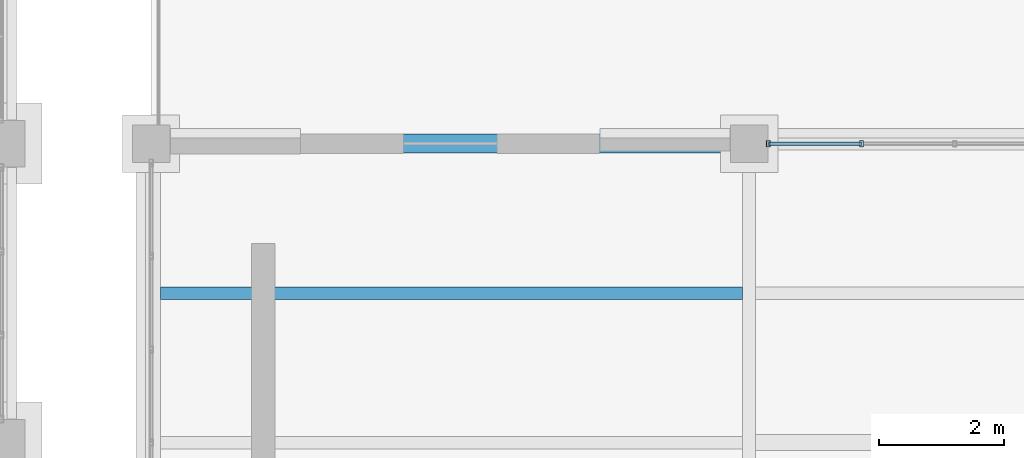
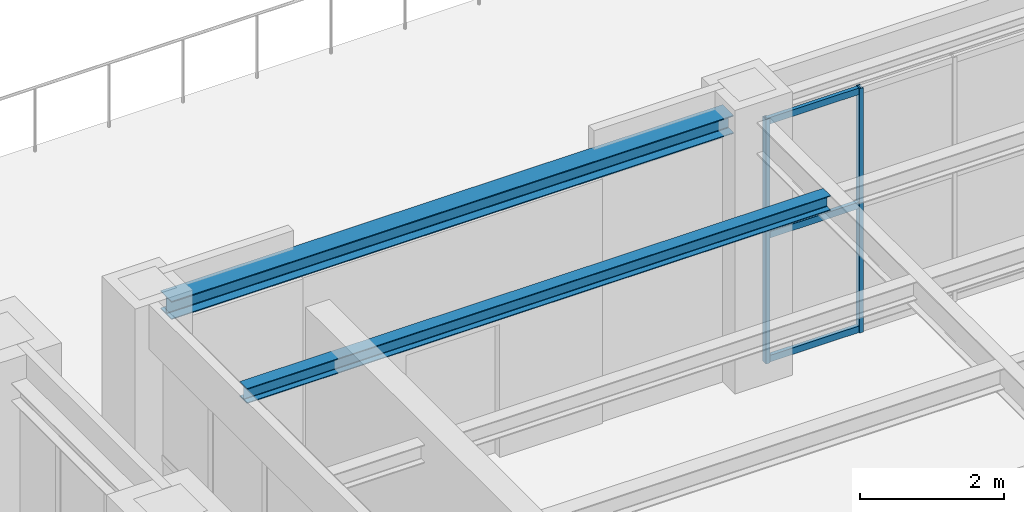
# One storey, part 12 of 83: 5 members, 2 beams, 1 element without a shape of its own.
"""IFC4 building model written with IfcOpenShell, lengths in metres."""

import ifcopenshell
import ifcopenshell.guid

model = None  # the IFC model being written
_history = None  # IfcOwnerHistory: only IFC2X3 demands one
_inside = {}  # id of a spatial element -> (the spatial element, [elements in it])
_under = {}  # id of a project, library or spatial element -> (it, [spatial elements below it])
_declared = {}  # id of a project -> (the project, [libraries it declares])
_typed = {}  # id of a type object -> (the type object, [elements of that type])
_made_of = {}  # id of a material, layer set ... -> (it, [elements and type objects made of it])


def new_model(schema):
    """Start an empty IFC model of exactly this schema.

    Asked for "IFC4X3", IfcOpenShell would pick the latest addendum, in which some entities
    have other attributes; the version numbers below select the first issue.
    IFC2X3 requires an IfcOwnerHistory on every rooted entity: one is made here for all.
    """
    global model, _history
    if schema == "IFC4X3":
        model = ifcopenshell.file(schema_version=(4, 3, 0, 0))
    else:
        model = ifcopenshell.file(schema=schema)
    _inside.clear()
    _under.clear()
    _declared.clear()
    _typed.clear()
    _made_of.clear()
    _history = None
    if model.schema == "IFC2X3":
        org = make("IfcOrganization", Name="unknown")
        user = make(
            "IfcPersonAndOrganization",
            ThePerson=make("IfcPerson", FamilyName="unknown"),
            TheOrganization=org,
        )
        app = make(
            "IfcApplication",
            ApplicationDeveloper=org,
            Version="unknown",
            ApplicationFullName="unknown",
            ApplicationIdentifier="unknown",
        )
        _history = make(
            "IfcOwnerHistory",
            OwningUser=user,
            OwningApplication=app,
            ChangeAction="ADDED",
            CreationDate=0,
        )
    return model


def make(cls, **values):
    """One entity of the class cls with the attributes given. An attribute that is None is left unset."""
    return model.create_entity(
        cls, **{name: value for name, value in values.items() if value is not None}
    )


def rooted(cls, **values):
    """An entity with a GlobalId (a new one), such as an element, a storey or a relation."""
    return make(cls, GlobalId=ifcopenshell.guid.new(), OwnerHistory=_history, **values)


def si_unit(unit_type, name, prefix=None):
    """IfcSIUnit, for example si_unit("LENGTHUNIT", "METRE", prefix="MILLI")."""
    return make("IfcSIUnit", UnitType=unit_type, Prefix=prefix, Name=name)


def assignment(units):
    """IfcUnitAssignment: the units of a project."""
    return None if units is None else make("IfcUnitAssignment", Units=units)


def point(xyz):
    """IfcCartesianPoint."""
    return None if xyz is None else make("IfcCartesianPoint", Coordinates=xyz)


def direction(xyz):
    """IfcDirection."""
    return None if xyz is None else make("IfcDirection", DirectionRatios=xyz)


def frame(location, z_axis=None, x_axis=None):
    """IfcAxis2Placement3D, a coordinate frame: its origin and axes. An axis left out is left unset."""
    return make(
        "IfcAxis2Placement3D",
        Location=point(location),
        Axis=direction(z_axis),
        RefDirection=direction(x_axis),
    )


def frame_2d(location, x_axis=None):
    """IfcAxis2Placement2D, a coordinate frame in the plane: its origin and x axis."""
    return make(
        "IfcAxis2Placement2D", Location=point(location), RefDirection=direction(x_axis)
    )


def origin():
    """The frame at (0, 0, 0) with its axes left unset."""
    return frame((0.0, 0.0, 0.0))


def origin_2d():
    """The frame at (0, 0) in the plane with its x axis left unset."""
    return frame_2d((0.0, 0.0))


def place(relative_to, where):
    """IfcLocalPlacement: puts the frame where relative to a parent placement (None: the world)."""
    return make(
        "IfcLocalPlacement", PlacementRelTo=relative_to, RelativePlacement=where
    )


def context(
    kind, dimensions, precision=None, world=None, true_north=None, identifier=None
):
    """IfcGeometricRepresentationContext, for example the 3D "Model" context."""
    return make(
        "IfcGeometricRepresentationContext",
        ContextIdentifier=identifier,
        ContextType=kind,
        CoordinateSpaceDimension=dimensions,
        Precision=precision,
        WorldCoordinateSystem=world,
        TrueNorth=true_north,
    )


def subcontext(parent, identifier, kind, view, scale=None):
    """IfcGeometricRepresentationSubContext, for example "Body" below "Model"."""
    return make(
        "IfcGeometricRepresentationSubContext",
        ContextIdentifier=identifier,
        ContextType=kind,
        ParentContext=parent,
        TargetScale=scale,
        TargetView=view,
    )


def project(units=None, contexts=None):
    """IfcProject with its units and contexts."""
    return rooted(
        "IfcProject",
        Name="project",
        RepresentationContexts=contexts,
        UnitsInContext=assignment(units),
    )


def spatial(cls, under=None, at=None, **own):
    """A site, building, storey or space (cls), placed at a placement, below another one or the project."""
    s = rooted(cls, ObjectPlacement=at, **own)
    if under is not None:
        _under.setdefault(under.id(), (under, []))[1].append(s)
    return s


def profile(cls, at=None, kind="AREA", **sizes):
    """A parametric profile (cls). Its sizes go by their IFC names, for example OverallWidth=200.0."""
    return make(cls, ProfileType=kind, Position=at, **sizes)


def hollow_rectangle(**sizes):
    """IfcRectangleHollowProfileDef."""
    return profile("IfcRectangleHollowProfileDef", **sizes)


def i_section(**sizes):
    """IfcIShapeProfileDef."""
    return profile("IfcIShapeProfileDef", **sizes)


def extrude(swept, where, along, depth):
    """IfcExtrudedAreaSolid: the profile swept, set in the frame where, extruded along a direction by depth."""
    return make(
        "IfcExtrudedAreaSolid",
        SweptArea=swept,
        Position=where,
        ExtrudedDirection=direction(along),
        Depth=depth,
    )


def shape(context_of_items, identifier, shape_type, items):
    """IfcShapeRepresentation: the items that make up one representation, for example the "Body"."""
    return make(
        "IfcShapeRepresentation",
        ContextOfItems=context_of_items,
        RepresentationIdentifier=identifier,
        RepresentationType=shape_type,
        Items=items,
    )


def material(Name=None, Category=None):
    """IfcMaterial."""
    return make("IfcMaterial", Name=Name, Category=Category)


def material_profile(
    of_material, cross_section, Name=None, Category=None, Priority=None
):
    """IfcMaterialProfile: a cross section and its material."""
    return make(
        "IfcMaterialProfile",
        Name=Name,
        Material=of_material,
        Profile=cross_section,
        Priority=Priority,
        Category=Category,
    )


def profile_set(profiles, Name=None, composite=None):
    """IfcMaterialProfileSet."""
    return make(
        "IfcMaterialProfileSet",
        Name=Name,
        MaterialProfiles=profiles,
        CompositeProfile=composite,
    )


def made_of(thing, what):
    """Note that an element or type object is made of a material, layer set ...; save() writes the relation."""
    if what is not None:
        _made_of.setdefault(what.id(), (what, []))[1].append(thing)
    return thing


def type_object(cls, material=None, **own):
    """A type object (cls), such as IfcWallType, which elements share."""
    return made_of(rooted(cls, **own), material)


def element(
    cls,
    number,
    at=None,
    inside=None,
    cuts=None,
    type_object=None,
    material=None,
    context=None,
    identifier="Body",
    shape_type=None,
    held_by="IfcProductDefinitionShape",
    body=None,
    shapes=None,
    **own,
):
    """One element of the class cls, such as IfcWall. Its Tag is "e" and its number.

    at: its placement. inside: the storey or other place that contains it. cuts: it is an
    opening in that element (IfcRelVoidsElement). A single representation is given by context,
    identifier, shape_type and body (its items); several are given by shapes. held_by: the class
    of the entity that holds the representations. save() writes the other relations.
    """
    e = rooted(cls, Tag="e%d" % number, ObjectPlacement=at, **own)
    if body is not None:
        shapes = [shape(context, identifier, shape_type, body)]
    if shapes is not None:
        e.Representation = make(held_by, Representations=shapes)
    if inside is not None:
        _inside.setdefault(inside.id(), (inside, []))[1].append(e)
    if cuts is not None:
        rooted(
            "IfcRelVoidsElement", RelatingBuildingElement=cuts, RelatedOpeningElement=e
        )
    if type_object is not None:
        _typed.setdefault(type_object.id(), (type_object, []))[1].append(e)
    return made_of(e, material)


def aggregate(whole, parts):
    """IfcRelAggregates: a whole, such as a stair, and the parts it consists of."""
    return rooted("IfcRelAggregates", RelatingObject=whole, RelatedObjects=parts)


def save(model, path):
    """Write the relations noted so far, then the file.

    IfcRelAggregates (storeys below a building ...), IfcRelContainedInSpatialStructure (elements
    in a storey), IfcRelDefinesByType, IfcRelAssociatesMaterial and IfcRelDeclares: one each for
    every whole, place, type object, material and project.
    """
    for whole, parts in _under.values():
        aggregate(whole, parts)
    for where, things in _inside.values():
        rooted(
            "IfcRelContainedInSpatialStructure",
            RelatedElements=things,
            RelatingStructure=where,
        )
    for kind, things in _typed.values():
        rooted("IfcRelDefinesByType", RelatedObjects=things, RelatingType=kind)
    for what, things in _made_of.values():
        rooted("IfcRelAssociatesMaterial", RelatedObjects=things, RelatingMaterial=what)
    for by, libraries in _declared.values():
        rooted("IfcRelDeclares", RelatingContext=by, RelatedDefinitions=libraries)
    model.write(path)


model = new_model("IFC4")

# Units and contexts
model_context = context("Model", 3, precision=1e-05, world=origin(), true_north=direction((0.0, 1.0)))
body_context = subcontext(model_context, "Body", "Model", "MODEL_VIEW")
ifc_project = project(units=[si_unit("LENGTHUNIT", "METRE"), si_unit("AREAUNIT", "SQUARE_METRE"), si_unit("VOLUMEUNIT", "CUBIC_METRE"), si_unit("PLANEANGLEUNIT", "RADIAN"), si_unit("MASSUNIT", "GRAM", prefix="KILO")], contexts=[model_context])

# Site, building, storey
site_placement = place(None, origin())
site = spatial("IfcSite", under=ifc_project, at=site_placement, CompositionType="ELEMENT")
building_placement = place(site_placement, origin())
building = spatial("IfcBuilding", under=site, at=building_placement, Name="Mavantir Sound Aquarium", CompositionType="ELEMENT")
storey_placement = place(building_placement, frame((0.0, 0.0, 10.5)))
storey = spatial("IfcBuildingStorey", under=building, at=storey_placement, Name="L02", CompositionType="ELEMENT", Elevation=10.5)

# Beams
ifc_material_1 = material(Name="Structural Steel ASTM A992 Gr50", Category="steel")
ifc_material_profile_1 = material_profile(ifc_material_1, i_section(OverallWidth=0.202880859375, OverallDepth=0.251953125, WebThickness=0.008056640625, FlangeThickness=0.013427734375, FilletRadius=0.011962890625, at=origin_2d()), Name="W250X58")
ifc_profile_set_1 = profile_set([ifc_material_profile_1], Name="Structural Steel ASTM A992 Gr50")
beam_type_1 = type_object("IfcBeamType", Name="BM-W250X58-I", PredefinedType="JOIST", material=ifc_profile_set_1)
beam_1_placement = place(storey_placement, frame((36.152587890625, 57.60009765625, 4.35009765625), z_axis=(1.0, 0.0, 0.0), x_axis=(0.0, 1.0, 0.0)))
element("IfcBeam", 1, at=beam_1_placement, inside=storey, type_object=beam_type_1, Name="L02 secondary floor joist SJ-25 872", PredefinedType="JOIST", context=body_context, shape_type="SweptSolid", body=[
    extrude(i_section(OverallWidth=0.202880859375, OverallDepth=0.251953125, WebThickness=0.008056640625, FlangeThickness=0.013427734375, FilletRadius=0.011962890625, at=origin_2d()), origin(), (0.0, 0.0, 1.0), 9.34130859375),
])
ifc_material_profile_2 = material_profile(ifc_material_1, i_section(OverallWidth=0.304931640625, OverallDepth=0.30810546875, WebThickness=0.010009765625, FlangeThickness=0.015380859375, FilletRadius=0.014892578125, at=origin_2d()), Name="W310X97")
ifc_profile_set_2 = profile_set([ifc_material_profile_2], Name="Structural Steel ASTM A992 Gr50")
beam_type_2 = type_object("IfcBeamType", Name="BM-W310X97-E", PredefinedType="SPANDREL", material=ifc_profile_set_2)
beam_2_placement = place(storey_placement, frame((36.300048828125, 60.0, 4.322021484375), z_axis=(1.0, 0.0, 0.0), x_axis=(0.0, 1.0, 0.0)))
element("IfcBeam", 2, at=beam_2_placement, inside=storey, type_object=beam_type_2, Name="L02 primary beam SS-31A 1485", PredefinedType="SPANDREL", context=body_context, shape_type="SweptSolid", body=[
    extrude(i_section(OverallWidth=0.304931640625, OverallDepth=0.30810546875, WebThickness=0.010009765625, FlangeThickness=0.015380859375, FilletRadius=0.014892578125, at=origin_2d()), origin(), (0.0, 0.0, 1.0), 9.0),
])

# Curtain wall, members
ifc_material_2 = material(Name="Anodised Marine Aluminium and Low-E Glass", Category="aluminium")
curtain_wall_type = type_object("IfcCurtainWallType", Name="CW-T05", PredefinedType="USERDEFINED", material=ifc_material_2)
curtain_wall_placement = place(storey_placement, origin())
curtain_wall = element("IfcCurtainWall", 3, at=curtain_wall_placement, inside=storey, type_object=curtain_wall_type, Name="L02 unitised curtain wall CW-05 125", ObjectType="UNITISED GLAZING", PredefinedType="USERDEFINED")
ifc_material_3 = material(Name="Anodised Marine Aluminium 6063-T6", Category="aluminium")
ifc_material_profile_3 = material_profile(ifc_material_3, hollow_rectangle(XDim=0.06005859375, YDim=0.10009765625, WallThickness=0.00390625, at=origin_2d()), Name="ALU-MULLION-100X60")
ifc_profile_set_3 = profile_set([ifc_material_profile_3], Name="Anodised Marine Aluminium 6063-T6")
member_type_1 = type_object("IfcMemberType", Name="CW-MUL-100", PredefinedType="MULLION", material=ifc_profile_set_3)
member_1_placement = place(storey_placement, frame((47.4052734375, 60.0, 0.0), z_axis=(0.0, 0.0, 1.0), x_axis=(1.0, 0.0, 0.0)))
member_1 = element("IfcMember", 4, at=member_1_placement, type_object=member_type_1, Name="CW-L02-125 vertical mullion 6", PredefinedType="MULLION", context=body_context, shape_type="SweptSolid", body=[
    extrude(hollow_rectangle(XDim=0.06005859375, YDim=0.10009765625, WallThickness=0.00390625, at=origin_2d()), origin(), (0.0, 0.0, 1.0), 4.137939453125),
])
member_2_placement = place(storey_placement, frame((45.907958984375, 60.0, 0.0), z_axis=(0.0, 0.0, 1.0), x_axis=(1.0, 0.0, 0.0)))
member_2 = element("IfcMember", 5, at=member_2_placement, type_object=member_type_1, Name="CW-L02-125 vertical mullion 7", PredefinedType="MULLION", context=body_context, shape_type="SweptSolid", body=[
    extrude(hollow_rectangle(XDim=0.06005859375, YDim=0.10009765625, WallThickness=0.00390625, at=origin_2d()), origin(), (0.0, 0.0, 1.0), 4.137939453125),
])
ifc_material_profile_4 = material_profile(ifc_material_3, hollow_rectangle(XDim=0.06005859375, YDim=0.110107421875, WallThickness=0.00390625, at=origin_2d()), Name="ALU-TRANSOM-110X60")
ifc_profile_set_4 = profile_set([ifc_material_profile_4], Name="Anodised Marine Aluminium 6063-T6")
member_type_2 = type_object("IfcMemberType", Name="CW-TRN-110", PredefinedType="USERDEFINED", material=ifc_profile_set_4)
member_3_placement = place(storey_placement, frame((47.4052734375, 60.0, 0.054931640625), z_axis=(-1.0, 0.0, 0.0), x_axis=(0.0, -1.0, 0.0)))
member_3 = element("IfcMember", 6, at=member_3_placement, type_object=member_type_2, Name="CW-L02-125 transom 6.1", ObjectType="TRANSOM", PredefinedType="USERDEFINED", context=body_context, shape_type="SweptSolid", body=[
    extrude(hollow_rectangle(XDim=0.06005859375, YDim=0.110107421875, WallThickness=0.00390625, at=origin_2d()), origin(), (0.0, 0.0, 1.0), 1.497314453125),
])
member_4_placement = place(storey_placement, frame((47.4052734375, 60.0, 2.15185546875), z_axis=(-1.0, 0.0, 0.0), x_axis=(0.0, -1.0, 0.0)))
member_4 = element("IfcMember", 7, at=member_4_placement, type_object=member_type_2, Name="CW-L02-125 transom 6.2", ObjectType="TRANSOM", PredefinedType="USERDEFINED", context=body_context, shape_type="SweptSolid", body=[
    extrude(hollow_rectangle(XDim=0.06005859375, YDim=0.110107421875, WallThickness=0.00390625, at=origin_2d()), origin(), (0.0, 0.0, 1.0), 1.497314453125),
])
member_5_placement = place(storey_placement, frame((47.4052734375, 60.0, 4.0830078125), z_axis=(-1.0, 0.0, 0.0), x_axis=(0.0, -1.0, 0.0)))
member_5 = element("IfcMember", 8, at=member_5_placement, type_object=member_type_2, Name="CW-L02-125 transom 6.3", ObjectType="TRANSOM", PredefinedType="USERDEFINED", context=body_context, shape_type="SweptSolid", body=[
    extrude(hollow_rectangle(XDim=0.06005859375, YDim=0.110107421875, WallThickness=0.00390625, at=origin_2d()), origin(), (0.0, 0.0, 1.0), 1.497314453125),
])
aggregate(curtain_wall, [member_1, member_2, member_3, member_4, member_5])

save(model, "model.ifc")
